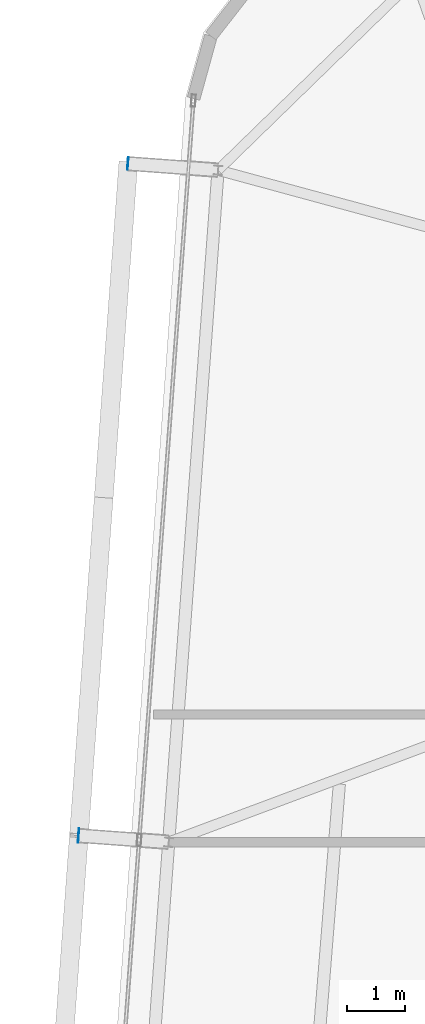
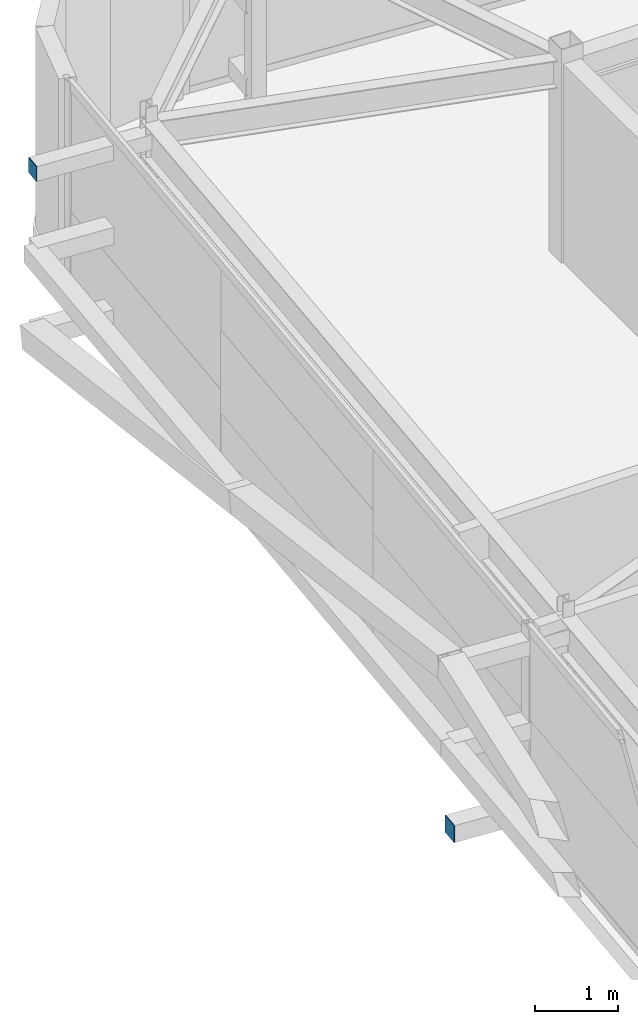
# One storey, part 26 of 35: 2 plates.
"""IFC4 building model written with IfcOpenShell, lengths in metres."""

from ifc_helpers import new_model, si_unit, direction, frame, origin, origin_2d, place, context, subcontext, project, spatial, rectangle, extrude, source, transform, mapped, material, layer, layer_set, type_object, element, save


model = new_model("IFC4")

# Units and contexts
model_context = context("Model", 3, precision=1e-05, world=origin(), true_north=direction((0.0, 1.0)))
body_context = subcontext(model_context, "Body", "Model", "MODEL_VIEW")
ifc_project = project(units=[si_unit("LENGTHUNIT", "METRE"), si_unit("AREAUNIT", "SQUARE_METRE"), si_unit("VOLUMEUNIT", "CUBIC_METRE"), si_unit("PLANEANGLEUNIT", "RADIAN"), si_unit("MASSUNIT", "GRAM", prefix="KILO")], contexts=[model_context])

# Site, building, storey
site_placement = place(None, origin())
site = spatial("IfcSite", under=ifc_project, at=site_placement, CompositionType="ELEMENT")
building_placement = place(site_placement, origin())
building = spatial("IfcBuilding", under=site, at=building_placement, Name="Taldren Reach Tower", CompositionType="ELEMENT")
storey_placement = place(building_placement, frame((0.0, 0.0, 236.60009765625)))
storey = spatial("IfcBuildingStorey", under=building, at=storey_placement, Name="L72", CompositionType="ELEMENT", Elevation=236.60009765625)

# Plates
ifc_material_1 = material(Name="Steel Gr 350 (C350L0)", Category="steel")
ifc_layer_1 = layer(ifc_material_1, 0.011962890625)
ifc_layer_set_1 = layer_set([ifc_layer_1], Name="Steel Gr 350 (C350L0)")
plate_type_1 = type_object("IfcPlateType", Name="PL-CAP-250", PredefinedType="SHEET", material=ifc_layer_set_1)
shared_shape_1 = source(origin(), body_context, "Body", "SweptSolid", [
    extrude(rectangle(XDim=0.011962890625, YDim=0.25, at=origin_2d()), origin(), (0.0, 0.0, 1.0), 0.25),
])
plate_1_placement = place(storey_placement, frame((11.556884765625, 21.914306640625, 0.094970703125), z_axis=(0.0, 0.0, 1.0), x_axis=(0.997314477224, -0.073238197128, 0.0)))
element("IfcPlate", 1, at=plate_1_placement, inside=storey, type_object=plate_type_1, Name="Tie strut end cap plate B5-W2 L72", PredefinedType="SHEET", context=body_context, shape_type="MappedRepresentation", body=[
    mapped(shared_shape_1, transform((0.0, 0.0, 0.0), scale=1.0)),
])
ifc_material_2 = material(Name="Steel Gr 450 (C450L0)", Category="steel")
ifc_layer_2 = layer(ifc_material_2, 0.011962890625)
ifc_layer_set_2 = layer_set([ifc_layer_2], Name="Steel Gr 450 (C450L0)")
plate_type_2 = type_object("IfcPlateType", Name="PL-CAP-220", PredefinedType="SHEET", material=ifc_layer_set_2)
shared_shape_2 = source(origin(), body_context, "Body", "SweptSolid", [
    extrude(rectangle(XDim=0.011962890625, YDim=0.219970703125, at=origin_2d()), origin(), (0.0, 0.0, 1.0), 0.219970703125),
])
plate_2_placement = place(storey_placement, frame((12.406494140625, 33.483154296875, 2.5400390625), z_axis=(0.0, 0.0, 1.0), x_axis=(0.997314477224, -0.073238197128, 0.0)))
element("IfcPlate", 2, at=plate_2_placement, inside=storey, type_object=plate_type_2, Name="Tie strut end cap plate B5-W3 L72", PredefinedType="SHEET", context=body_context, shape_type="MappedRepresentation", body=[
    mapped(shared_shape_2, transform((0.0, 0.0, 0.0), scale=1.0)),
])

save(model, "model.ifc")
